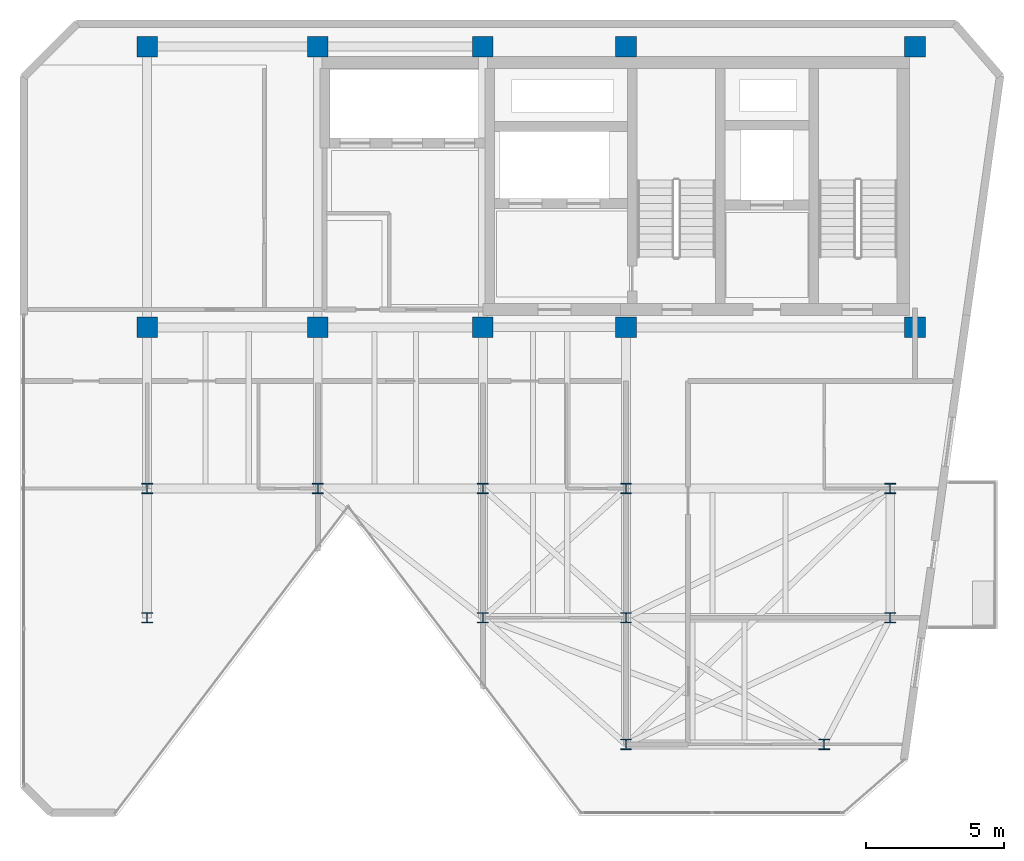
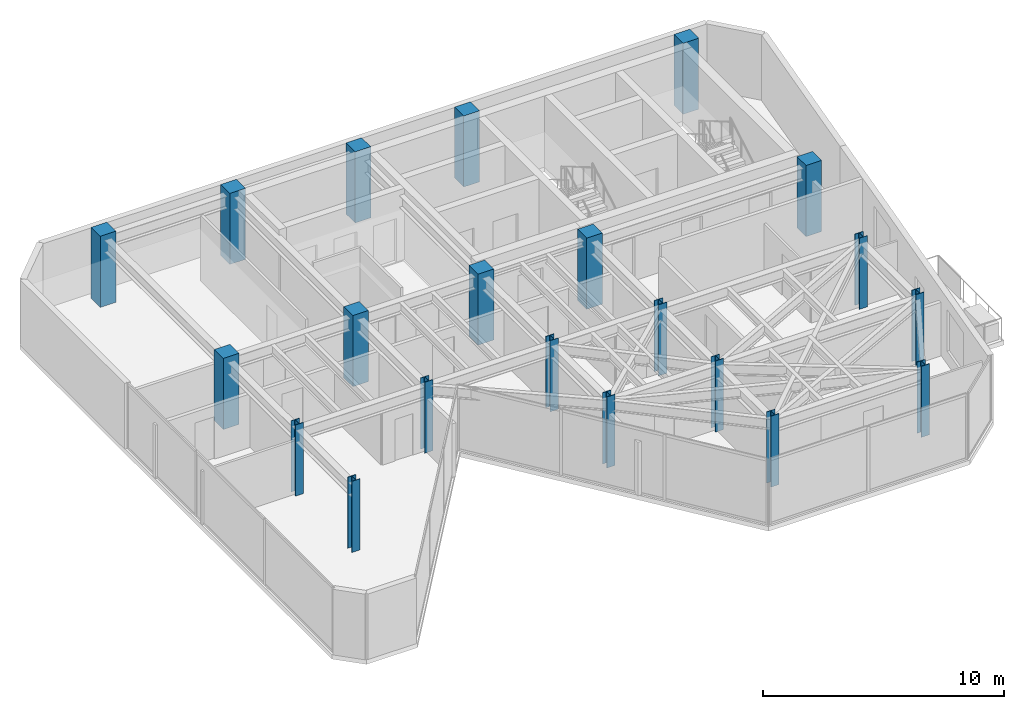
# One storey, part 1 of 16: 21 columns.
"""IFC4 building model written with IfcOpenShell, lengths in metres."""

from ifc_helpers import new_model, si_unit, direction, frame, origin, origin_2d, place, context, subcontext, project, spatial, rectangle, i_section, extrude, material, material_profile, profile_set, type_object, element, save


model = new_model("IFC4")

# Units and contexts
model_context = context("Model", 3, precision=1e-05, world=origin(), true_north=direction((0.0, 1.0)))
body_context = subcontext(model_context, "Body", "Model", "MODEL_VIEW")
ifc_project = project(units=[si_unit("LENGTHUNIT", "METRE"), si_unit("AREAUNIT", "SQUARE_METRE"), si_unit("VOLUMEUNIT", "CUBIC_METRE"), si_unit("PLANEANGLEUNIT", "RADIAN"), si_unit("MASSUNIT", "GRAM", prefix="KILO")], contexts=[model_context])

# Site, building, storey
site_placement = place(None, origin())
site = spatial("IfcSite", under=ifc_project, at=site_placement, CompositionType="ELEMENT")
building_placement = place(site_placement, origin())
building = spatial("IfcBuilding", under=site, at=building_placement, Name="Kravanh Interchange Tower", CompositionType="ELEMENT")
storey_placement = place(building_placement, frame((0.0, 0.0, 307.5)))
storey = spatial("IfcBuildingStorey", under=building, at=storey_placement, Name="L76", CompositionType="ELEMENT", Elevation=307.5)

# Columns
ifc_material_1 = material(Name="Concrete C60/75", Category="concrete")
ifc_material_profile_1 = material_profile(ifc_material_1, rectangle(XDim=0.75, YDim=0.75, at=origin_2d()), Name="RC750X750")
ifc_profile_set_1 = profile_set([ifc_material_profile_1], Name="Concrete C60/75")
column_type_1 = type_object("IfcColumnType", Name="Column RC750X750 Concrete C60/75", PredefinedType="COLUMN", material=ifc_profile_set_1)
for number, where, z_axis, x_axis, name in (
    (1, (66.5, 47.550048828125, 0.0), (0.0, 0.0, 1.0), (1.0, 0.0, 0.0), "L76 Column CS01"),
    (2, (56.0, 47.550048828125, 0.0), (0.0, 0.0, 1.0), (1.0, 0.0, 0.0), "L76 Column CS02"),
    (3, (66.5, 37.35009765625, 0.0), (0.0, 0.0, 1.0), (1.0, 0.0, 0.0), "L76 Column CS03"),
    (4, (56.0, 37.35009765625, 0.0), (0.0, 0.0, 1.0), (1.0, 0.0, 0.0), "L76 Column CS04"),
    (5, (50.800048828125, 47.550048828125, 0.0), (0.0, 0.0, 1.0), (1.0, 0.0, 0.0), "L76 Column CS05"),
    (6, (50.800048828125, 37.35009765625, 0.0), (0.0, 0.0, 1.0), (1.0, 0.0, 0.0), "L76 Column CS06"),
    (7, (44.800048828125, 37.35009765625, 0.0), (0.0, 0.0, 1.0), (1.0, 0.0, 0.0), "L76 Column CS07"),
    (8, (44.800048828125, 47.550048828125, 0.0), (0.0, 0.0, 1.0), (1.0, 0.0, 0.0), "L76 Column CS08"),
    (9, (38.60009765625, 37.35009765625, 0.0), (0.0, 0.0, 1.0), (1.0, 0.0, 0.0), "L76 Column CS09"),
    (10, (38.60009765625, 47.550048828125, 0.0), (0.0, 0.0, 1.0), (1.0, 0.0, 0.0), "L76 Column CS10"),
):
    element("IfcColumn", number, at=place(storey_placement, frame(where, z_axis=z_axis, x_axis=x_axis)), inside=storey, type_object=column_type_1, Name=name, PredefinedType="COLUMN", context=body_context, shape_type="SweptSolid", body=[
        extrude(rectangle(XDim=0.75, YDim=0.75, at=origin_2d()), origin(), (0.0, 0.0, 1.0), 3.60009765625),
    ])
ifc_material_2 = material(Name="Structural Steel S355", Category="steel")
ifc_material_profile_2 = material_profile(ifc_material_2, i_section(OverallWidth=0.39404296875, OverallDepth=0.3759765625, WebThickness=0.017333984375, FlangeThickness=0.027587890625, FilletRadius=0.030029296875, at=origin_2d()), Name="W14X145")
ifc_profile_set_2 = profile_set([ifc_material_profile_2], Name="Structural Steel S355")
column_type_2 = type_object("IfcColumnType", Name="Column W14X145 Structural Steel S355", PredefinedType="COLUMN", material=ifc_profile_set_2)
for number, where, z_axis, x_axis, name in (
    (11, (44.800048828125, 31.5, 0.0), (0.0, 0.0, 1.0), (1.0, 0.0, 0.0), "L76 Column CH_E1"),
    (12, (50.800048828125, 31.5, 0.0), (0.0, 0.0, 1.0), (1.0, 0.0, 0.0), "L76 Column CH_E2"),
    (13, (56.0, 31.5, 0.0), (0.0, 0.0, 1.0), (1.0, 0.0, 0.0), "L76 Column CH_E3"),
    (14, (65.60009765625, 31.5, 0.0), (0.0, 0.0, 1.0), (1.0, 0.0, 0.0), "L76 Column CH_E4"),
    (15, (38.60009765625, 31.5, 0.0), (0.0, 0.0, 1.0), (1.0, 0.0, 0.0), "L76 Column CH_E5"),
    (16, (38.60009765625, 26.800048828125, 0.0), (0.0, 0.0, 1.0), (1.0, 0.0, 0.0), "L76 Column CH_S1"),
    (17, (50.800048828125, 26.800048828125, 0.0), (0.0, 0.0, 1.0), (1.0, 0.0, 0.0), "L76 Column CH_S2"),
    (18, (56.0, 26.800048828125, 0.0), (0.0, 0.0, 1.0), (1.0, 0.0, 0.0), "L76 Column CH_S3"),
    (19, (65.60009765625, 26.800048828125, 0.0), (0.0, 0.0, 1.0), (1.0, 0.0, 0.0), "L76 Column CH_S4"),
    (20, (56.0, 22.199951171875, 0.0), (0.0, 0.0, 1.0), (1.0, 0.0, 0.0), "L76 Column CH_S5"),
    (21, (63.199951171875, 22.199951171875, 0.0), (0.0, 0.0, 1.0), (1.0, 0.0, 0.0), "L76 Column CH_S6"),
):
    element("IfcColumn", number, at=place(storey_placement, frame(where, z_axis=z_axis, x_axis=x_axis)), inside=storey, type_object=column_type_2, Name=name, PredefinedType="COLUMN", context=body_context, shape_type="SweptSolid", body=[
        extrude(i_section(OverallWidth=0.39404296875, OverallDepth=0.3759765625, WebThickness=0.017333984375, FlangeThickness=0.027587890625, FilletRadius=0.030029296875, at=origin_2d()), origin(), (0.0, 0.0, 1.0), 3.60009765625),
    ])

save(model, "model.ifc")
